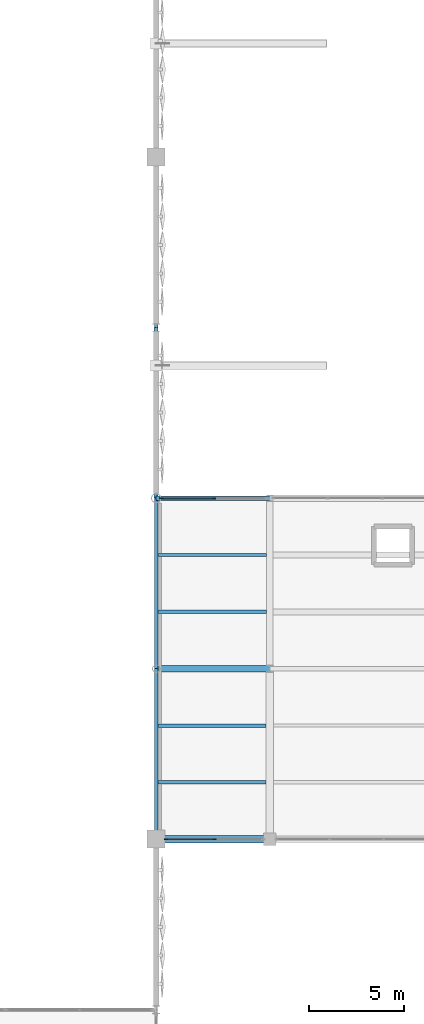
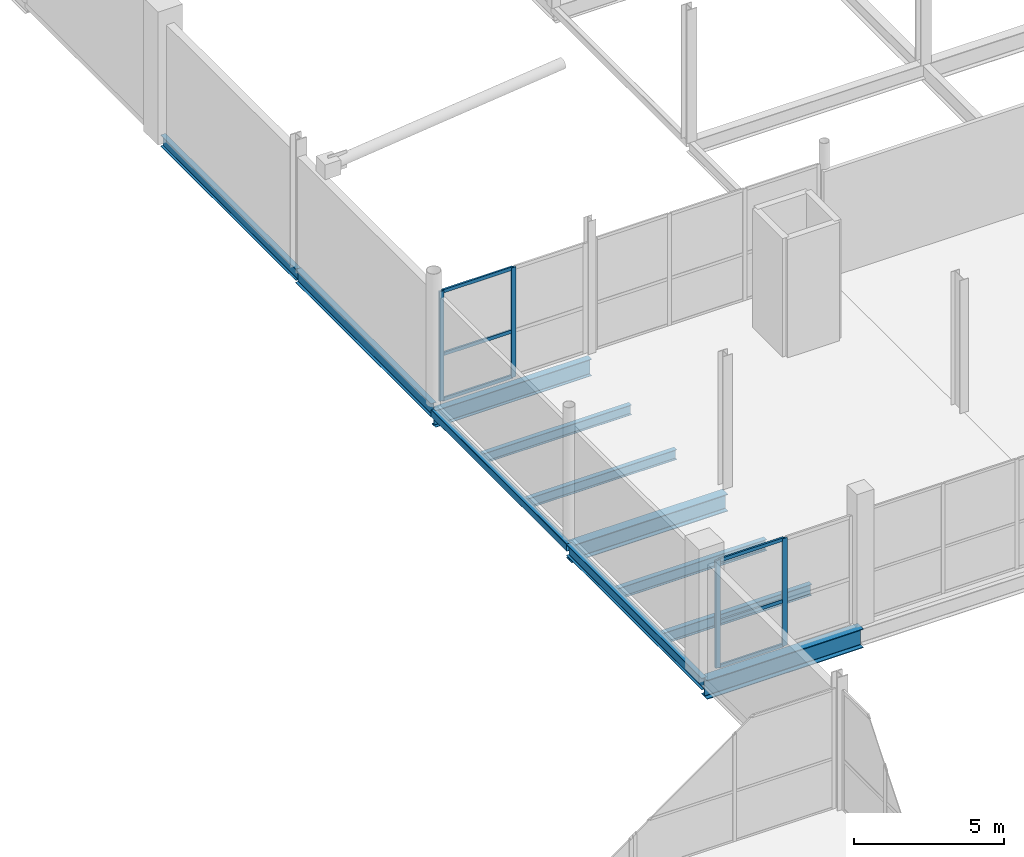
# One storey, part 30 of 119: 11 beams, 10 members, 2 elements without a shape of their own.
"""IFC4 building model written with IfcOpenShell, lengths in metres."""

from ifc_helpers import new_model, si_unit, direction, frame, origin, origin_2d, place, context, subcontext, project, spatial, rectangle, hollow_rectangle, i_section, extrude, material, layer, layer_set, material_profile, profile_set, type_object, element, aggregate, save


model = new_model("IFC4")

# Units and contexts
model_context = context("Model", 3, precision=1e-05, world=origin(), true_north=direction((0.0, 1.0)))
body_context = subcontext(model_context, "Body", "Model", "MODEL_VIEW")
ifc_project = project(units=[si_unit("LENGTHUNIT", "METRE"), si_unit("AREAUNIT", "SQUARE_METRE"), si_unit("VOLUMEUNIT", "CUBIC_METRE"), si_unit("PLANEANGLEUNIT", "RADIAN"), si_unit("MASSUNIT", "GRAM", prefix="KILO")], contexts=[model_context])

# Site, building, storey
site_placement = place(None, origin())
site = spatial("IfcSite", under=ifc_project, at=site_placement, CompositionType="ELEMENT")
building_placement = place(site_placement, origin())
building = spatial("IfcBuilding", under=site, at=building_placement, Name="Qamarlyn Nura Convention Centre", CompositionType="ELEMENT")
storey_placement = place(building_placement, frame((0.0, 0.0, 5.39990234375)))
storey = spatial("IfcBuildingStorey", under=building, at=storey_placement, Name="L01", CompositionType="ELEMENT", Elevation=5.39990234375)

# Beams
ifc_material_1 = material(Name="Steel ASTM A992", Category="steel")
ifc_material_profile_1 = material_profile(ifc_material_1, i_section(OverallWidth=0.35498046875, OverallDepth=0.695068359375, WebThickness=0.015380859375, FlangeThickness=0.02490234375, FilletRadius=0.01806640625, at=origin_2d()), Name="W690X217")
ifc_profile_set_1 = profile_set([ifc_material_profile_1], Name="Steel ASTM A992")
beam_type_1 = type_object("IfcBeamType", Name="BM-GIRD-690A", PredefinedType="BEAM", material=ifc_profile_set_1)
beam_1_placement = place(storey_placement, frame((120.0, 36.0, -0.58740234375), z_axis=(1.0, 0.0, 0.0), x_axis=(0.0, 1.0, 0.0)))
element("IfcBeam", 1, at=beam_1_placement, inside=storey, type_object=beam_type_1, Name="L01 girder E 9-10", PredefinedType="BEAM", context=body_context, shape_type="SweptSolid", body=[
    extrude(i_section(OverallWidth=0.35498046875, OverallDepth=0.695068359375, WebThickness=0.015380859375, FlangeThickness=0.02490234375, FilletRadius=0.01806640625, at=origin_2d()), origin(), (0.0, 0.0, 1.0), 6.0),
])
ifc_material_profile_2 = material_profile(ifc_material_1, i_section(OverallWidth=0.25390625, OverallDepth=0.68408203125, WebThickness=0.012451171875, FlangeThickness=0.01904296875, FilletRadius=0.01806640625, at=origin_2d()), Name="W690X140")
ifc_profile_set_2 = profile_set([ifc_material_profile_2], Name="Steel ASTM A992")
beam_type_2 = type_object("IfcBeamType", Name="BM-GIRD-690B", PredefinedType="BEAM", material=ifc_profile_set_2)
beam_2_placement = place(storey_placement, frame((120.0, 45.0, -0.581787109375), z_axis=(1.0, 0.0, 0.0), x_axis=(0.0, 1.0, 0.0)))
element("IfcBeam", 2, at=beam_2_placement, inside=storey, type_object=beam_type_2, Name="L01 girder F 9-10", PredefinedType="BEAM", context=body_context, shape_type="SweptSolid", body=[
    extrude(i_section(OverallWidth=0.25390625, OverallDepth=0.68408203125, WebThickness=0.012451171875, FlangeThickness=0.01904296875, FilletRadius=0.01806640625, at=origin_2d()), origin(), (0.0, 0.0, 1.0), 6.0),
])
ifc_material_profile_3 = material_profile(ifc_material_1, i_section(OverallWidth=0.381103515625, OverallDepth=0.77294921875, WebThickness=0.0166015625, FlangeThickness=0.027587890625, FilletRadius=0.02001953125, at=origin_2d()), Name="W760X257")
ifc_profile_set_3 = profile_set([ifc_material_profile_3], Name="Steel ASTM A992")
beam_type_3 = type_object("IfcBeamType", Name="BM-GIRD-760", PredefinedType="BEAM", material=ifc_profile_set_3)
beam_3_placement = place(storey_placement, frame((120.0, 27.0, -0.62646484375), z_axis=(1.0, 0.0, 0.0), x_axis=(0.0, 1.0, 0.0)))
element("IfcBeam", 3, at=beam_3_placement, inside=storey, type_object=beam_type_3, Name="L01 girder D 9-10", PredefinedType="BEAM", context=body_context, shape_type="SweptSolid", body=[
    extrude(i_section(OverallWidth=0.381103515625, OverallDepth=0.77294921875, WebThickness=0.0166015625, FlangeThickness=0.027587890625, FilletRadius=0.02001953125, at=origin_2d()), origin(), (0.0, 0.0, 1.0), 6.0),
])
ifc_material_profile_4 = material_profile(ifc_material_1, i_section(OverallWidth=0.177978515625, OverallDepth=0.406982421875, WebThickness=0.0078125, FlangeThickness=0.0126953125, FilletRadius=0.011962890625, at=origin_2d()), Name="W410X60")
ifc_profile_set_4 = profile_set([ifc_material_profile_4], Name="Steel ASTM A992")
beam_type_4 = type_object("IfcBeamType", Name="BM-JOIST-410", PredefinedType="JOIST", material=ifc_profile_set_4)
for number, where, z_axis, x_axis, name in (
    (4, (120.10009765625, 39.0, -0.443359375), (1.0, 0.0, 0.0), (0.0, 1.0, 0.0), "L01 composite joist 9-10/E+1"),
    (5, (120.10009765625, 42.0, -0.443359375), (1.0, 0.0, 0.0), (0.0, 1.0, 0.0), "L01 composite joist 9-10/E+2"),
):
    element("IfcBeam", number, at=place(storey_placement, frame(where, z_axis=z_axis, x_axis=x_axis)), inside=storey, type_object=beam_type_4, Name=name, PredefinedType="JOIST", context=body_context, shape_type="SweptSolid", body=[
        extrude(i_section(OverallWidth=0.177978515625, OverallDepth=0.406982421875, WebThickness=0.0078125, FlangeThickness=0.0126953125, FilletRadius=0.011962890625, at=origin_2d()), origin(), (0.0, 0.0, 1.0), 5.722412109375),
    ])
ifc_material_profile_5 = material_profile(ifc_material_1, i_section(OverallWidth=0.18994140625, OverallDepth=0.45703125, WebThickness=0.009033203125, FlangeThickness=0.014404296875, FilletRadius=0.012939453125, at=origin_2d()), Name="W460X74")
ifc_profile_set_5 = profile_set([ifc_material_profile_5], Name="Steel ASTM A992")
beam_type_5 = type_object("IfcBeamType", Name="BM-JOIST-460", PredefinedType="JOIST", material=ifc_profile_set_5)
for number, where, z_axis, x_axis, name in (
    (6, (120.096435546875, 30.0, -0.468505859375), (1.0, 0.0, 0.0), (0.0, 1.0, 0.0), "L01 composite joist 9-10/D+1"),
    (7, (120.096435546875, 33.0, -0.468505859375), (1.0, 0.0, 0.0), (0.0, 1.0, 0.0), "L01 composite joist 9-10/D+2"),
):
    element("IfcBeam", number, at=place(storey_placement, frame(where, z_axis=z_axis, x_axis=x_axis)), inside=storey, type_object=beam_type_5, Name=name, PredefinedType="JOIST", context=body_context, shape_type="SweptSolid", body=[
        extrude(i_section(OverallWidth=0.18994140625, OverallDepth=0.45703125, WebThickness=0.009033203125, FlangeThickness=0.014404296875, FilletRadius=0.012939453125, at=origin_2d()), origin(), (0.0, 0.0, 1.0), 5.713134765625),
    ])
ifc_material_profile_6 = material_profile(ifc_material_1, i_section(OverallWidth=0.193115234375, OverallDepth=0.466064453125, WebThickness=0.011474609375, FlangeThickness=0.01904296875, FilletRadius=0.012939453125, at=origin_2d()), Name="W460X97")
ifc_profile_set_6 = profile_set([ifc_material_profile_6], Name="Steel ASTM A992")
beam_type_6 = type_object("IfcBeamType", Name="BM-SPAN-460", PredefinedType="SPANDREL", material=ifc_profile_set_6)
for number, where, z_axis, x_axis, name in (
    (8, (120.0, 27.0, -0.472900390625), (0.0, 1.0, 0.0), (-1.0, 0.0, 0.0), "L01 girder 9 D-E"),
    (9, (120.0, 54.0, -0.23291015625), (0.0, 1.0, 0.0), (-1.0, 0.0, 0.0), "L01 girder 9 G-H"),
):
    element("IfcBeam", number, at=place(storey_placement, frame(where, z_axis=z_axis, x_axis=x_axis)), inside=storey, type_object=beam_type_6, Name=name, PredefinedType="SPANDREL", context=body_context, shape_type="SweptSolid", body=[
        extrude(i_section(OverallWidth=0.193115234375, OverallDepth=0.466064453125, WebThickness=0.011474609375, FlangeThickness=0.01904296875, FilletRadius=0.012939453125, at=origin_2d()), origin(), (0.0, 0.0, 1.0), 9.0),
    ])
ifc_material_profile_7 = material_profile(ifc_material_1, i_section(OverallWidth=0.2109375, OverallDepth=0.5390625, WebThickness=0.01171875, FlangeThickness=0.018798828125, FilletRadius=0.013916015625, at=origin_2d()), Name="W530X109")
ifc_profile_set_7 = profile_set([ifc_material_profile_7], Name="Steel ASTM A992")
beam_type_7 = type_object("IfcBeamType", Name="BM-SPAN-530", PredefinedType="SPANDREL", material=ifc_profile_set_7)
beam_4_placement = place(storey_placement, frame((120.0, 45.0, -0.269287109375), z_axis=(0.0, 1.0, 0.0), x_axis=(-1.0, 0.0, 0.0)))
element("IfcBeam", 10, at=beam_4_placement, inside=storey, type_object=beam_type_7, Name="L01 girder 9 F-G", PredefinedType="SPANDREL", context=body_context, shape_type="SweptSolid", body=[
    extrude(i_section(OverallWidth=0.2109375, OverallDepth=0.5390625, WebThickness=0.01171875, FlangeThickness=0.018798828125, FilletRadius=0.013916015625, at=origin_2d()), origin(), (0.0, 0.0, 1.0), 9.0),
])
ifc_material_2 = material(Name="Steel ASTM A500 Grade C", Category="steel")
ifc_material_profile_8 = material_profile(ifc_material_2, hollow_rectangle(XDim=0.199951171875, YDim=0.300048828125, WallThickness=0.012451171875, InnerFilletRadius=0.012451171875, OuterFilletRadius=0.02490234375, at=origin_2d()), Name="HSS300X200X12.5")
ifc_profile_set_8 = profile_set([ifc_material_profile_8], Name="Steel ASTM A500 Grade C")
beam_type_8 = type_object("IfcBeamType", Name="BM-SPAN-HSS", PredefinedType="SPANDREL", material=ifc_profile_set_8)
beam_5_placement = place(storey_placement, frame((120.0, 36.0, -0.389892578125), z_axis=(0.0, 1.0, 0.0), x_axis=(-1.0, 0.0, 0.0)))
element("IfcBeam", 11, at=beam_5_placement, inside=storey, type_object=beam_type_8, Name="L01 girder 9 E-F", PredefinedType="SPANDREL", context=body_context, shape_type="SweptSolid", body=[
    extrude(hollow_rectangle(XDim=0.199951171875, YDim=0.300048828125, WallThickness=0.012451171875, InnerFilletRadius=0.012451171875, OuterFilletRadius=0.02490234375, at=origin_2d()), origin(), (0.0, 0.0, 1.0), 9.0),
])

# Curtain wall, members
ifc_material_3 = material(Name="Double-silver low-E insulated glass", Category="glass")
ifc_layer_1 = layer(ifc_material_3, 0.179931640625, Name="CW-UNIT-51")
ifc_layer_set_1 = layer_set([ifc_layer_1], Name="Double-silver low-E insulated glass")
curtain_wall_type_1 = type_object("IfcCurtainWallType", Name="CW-UNIT-51", PredefinedType="NOTDEFINED", material=ifc_layer_set_1)
curtain_wall_1_placement = place(storey_placement, origin())
curtain_wall_1 = element("IfcCurtainWall", 12, at=curtain_wall_1_placement, inside=storey, type_object=curtain_wall_type_1, Name="L01 unitised curtain wall BRG-N-1", PredefinedType="NOTDEFINED")
ifc_material_4 = material(Name="Champagne-anodised marine aluminium", Category="aluminium")
ifc_material_profile_9 = material_profile(ifc_material_4, rectangle(XDim=0.070068359375, YDim=0.179931640625, at=origin_2d()), Name="ALU MULLION 70x180")
ifc_profile_set_9 = profile_set([ifc_material_profile_9], Name="Champagne-anodised marine aluminium")
member_type_1 = type_object("IfcMemberType", Name="CWM-180", PredefinedType="MULLION", material=ifc_profile_set_9)
member_1_placement = place(storey_placement, frame((120.2890625, 45.0, 0.0), z_axis=(0.0, 0.0, 1.0), x_axis=(0.0, 1.0, 0.0)))
member_1 = element("IfcMember", 13, at=member_1_placement, type_object=member_type_1, Name="CW51 mullion 1", PredefinedType="MULLION", context=body_context, shape_type="SweptSolid", body=[
    extrude(rectangle(XDim=0.070068359375, YDim=0.179931640625, at=origin_2d()), origin(), (0.0, 0.0, 1.0), 4.461181640625),
])
member_2_placement = place(storey_placement, frame((123.05078125, 45.0, 0.0), z_axis=(0.0, 0.0, 1.0), x_axis=(0.0, 1.0, 0.0)))
member_2 = element("IfcMember", 14, at=member_2_placement, type_object=member_type_1, Name="CW51 mullion 2", PredefinedType="MULLION", context=body_context, shape_type="SweptSolid", body=[
    extrude(rectangle(XDim=0.070068359375, YDim=0.179931640625, at=origin_2d()), origin(), (0.0, 0.0, 1.0), 4.461181640625),
])

ifc_layer_2 = layer(ifc_material_3, 0.179931640625, Name="CW-UNIT-54")
ifc_layer_set_2 = layer_set([ifc_layer_2], Name="Double-silver low-E insulated glass")
curtain_wall_type_2 = type_object("IfcCurtainWallType", Name="CW-UNIT-54", PredefinedType="NOTDEFINED", material=ifc_layer_set_2)
curtain_wall_2_placement = place(storey_placement, origin())
curtain_wall_2 = element("IfcCurtainWall", 15, at=curtain_wall_2_placement, inside=storey, type_object=curtain_wall_type_2, Name="L01 unitised curtain wall BRG-S-2", PredefinedType="NOTDEFINED")
member_3_placement = place(storey_placement, frame((123.074951171875, 27.0, 0.0), z_axis=(0.0, 0.0, 1.0), x_axis=(0.0, -1.0, 0.0)))
member_3 = element("IfcMember", 16, at=member_3_placement, type_object=member_type_1, Name="CW54 mullion 2", PredefinedType="MULLION", context=body_context, shape_type="SweptSolid", body=[
    extrude(rectangle(XDim=0.070068359375, YDim=0.179931640625, at=origin_2d()), origin(), (0.0, 0.0, 1.0), 4.3720703125),
])
member_4_placement = place(storey_placement, frame((120.510009765625, 27.0, 0.0), z_axis=(0.0, 0.0, 1.0), x_axis=(0.0, -1.0, 0.0)))
member_4 = element("IfcMember", 17, at=member_4_placement, type_object=member_type_1, Name="CW54 mullion 3", PredefinedType="MULLION", context=body_context, shape_type="SweptSolid", body=[
    extrude(rectangle(XDim=0.070068359375, YDim=0.179931640625, at=origin_2d()), origin(), (0.0, 0.0, 1.0), 4.3720703125),
])

# Member
ifc_material_profile_10 = material_profile(ifc_material_4, rectangle(XDim=0.070068359375, YDim=0.139892578125, at=origin_2d()), Name="ALU TRANSOM 70x140")
ifc_profile_set_10 = profile_set([ifc_material_profile_10], Name="Champagne-anodised marine aluminium")
member_type_2 = type_object("IfcMemberType", Name="CWT-140", PredefinedType="USERDEFINED", material=ifc_profile_set_10)
member_5_placement = place(storey_placement, frame((120.323974609375, 45.0, 0.03515625), z_axis=(1.0, 0.0, 0.0), x_axis=(0.0, 1.0, 0.0)))
member_5 = element("IfcMember", 18, at=member_5_placement, type_object=member_type_2, Name="CW51 transom 1.1", ObjectType="TRANSOM", PredefinedType="USERDEFINED", context=body_context, shape_type="SweptSolid", body=[
    extrude(rectangle(XDim=0.070068359375, YDim=0.139892578125, at=origin_2d()), origin(), (0.0, 0.0, 1.0), 2.69189453125),
])

member_6_placement = place(storey_placement, frame((120.323974609375, 45.0, 1.8740234375), z_axis=(1.0, 0.0, 0.0), x_axis=(0.0, 1.0, 0.0)))
member_6 = element("IfcMember", 19, at=member_6_placement, type_object=member_type_2, Name="CW51 transom 1.2", ObjectType="TRANSOM", PredefinedType="USERDEFINED", context=body_context, shape_type="SweptSolid", body=[
    extrude(rectangle(XDim=0.070068359375, YDim=0.139892578125, at=origin_2d()), origin(), (0.0, 0.0, 1.0), 2.69189453125),
])

member_7_placement = place(storey_placement, frame((120.323974609375, 45.0, 4.426025390625), z_axis=(1.0, 0.0, 0.0), x_axis=(0.0, 1.0, 0.0)))
member_7 = element("IfcMember", 20, at=member_7_placement, type_object=member_type_2, Name="CW51 transom 1.3", ObjectType="TRANSOM", PredefinedType="USERDEFINED", context=body_context, shape_type="SweptSolid", body=[
    extrude(rectangle(XDim=0.070068359375, YDim=0.139892578125, at=origin_2d()), origin(), (0.0, 0.0, 1.0), 2.69189453125),
])

aggregate(curtain_wall_1, [member_1, member_2, member_5, member_6, member_7])

member_8_placement = place(storey_placement, frame((123.0400390625, 27.0, 0.03515625), z_axis=(-1.0, 0.0, 0.0), x_axis=(0.0, -1.0, 0.0)))
member_8 = element("IfcMember", 21, at=member_8_placement, type_object=member_type_2, Name="CW54 transom 2.1", ObjectType="TRANSOM", PredefinedType="USERDEFINED", context=body_context, shape_type="SweptSolid", body=[
    extrude(rectangle(XDim=0.070068359375, YDim=0.139892578125, at=origin_2d()), origin(), (0.0, 0.0, 1.0), 2.4951171875),
])

member_9_placement = place(storey_placement, frame((123.0400390625, 27.0, 1.836181640625), z_axis=(-1.0, 0.0, 0.0), x_axis=(0.0, -1.0, 0.0)))
member_9 = element("IfcMember", 22, at=member_9_placement, type_object=member_type_2, Name="CW54 transom 2.2", ObjectType="TRANSOM", PredefinedType="USERDEFINED", context=body_context, shape_type="SweptSolid", body=[
    extrude(rectangle(XDim=0.070068359375, YDim=0.139892578125, at=origin_2d()), origin(), (0.0, 0.0, 1.0), 2.4951171875),
])

member_10_placement = place(storey_placement, frame((123.0400390625, 27.0, 4.337158203125), z_axis=(-1.0, 0.0, 0.0), x_axis=(0.0, -1.0, 0.0)))
member_10 = element("IfcMember", 23, at=member_10_placement, type_object=member_type_2, Name="CW54 transom 2.3", ObjectType="TRANSOM", PredefinedType="USERDEFINED", context=body_context, shape_type="SweptSolid", body=[
    extrude(rectangle(XDim=0.070068359375, YDim=0.139892578125, at=origin_2d()), origin(), (0.0, 0.0, 1.0), 2.4951171875),
])

aggregate(curtain_wall_2, [member_3, member_4, member_8, member_9, member_10])

save(model, "model.ifc")
